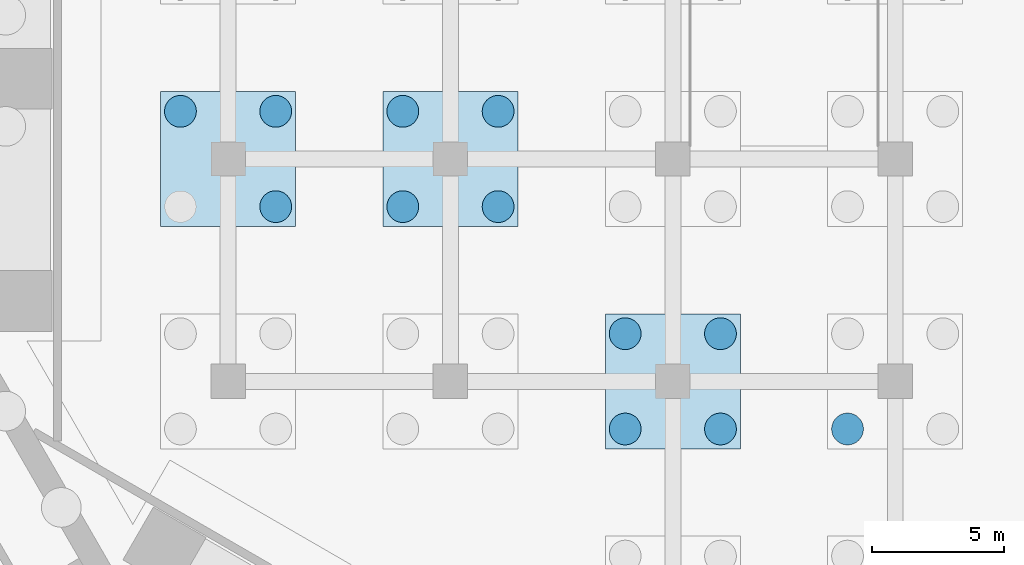
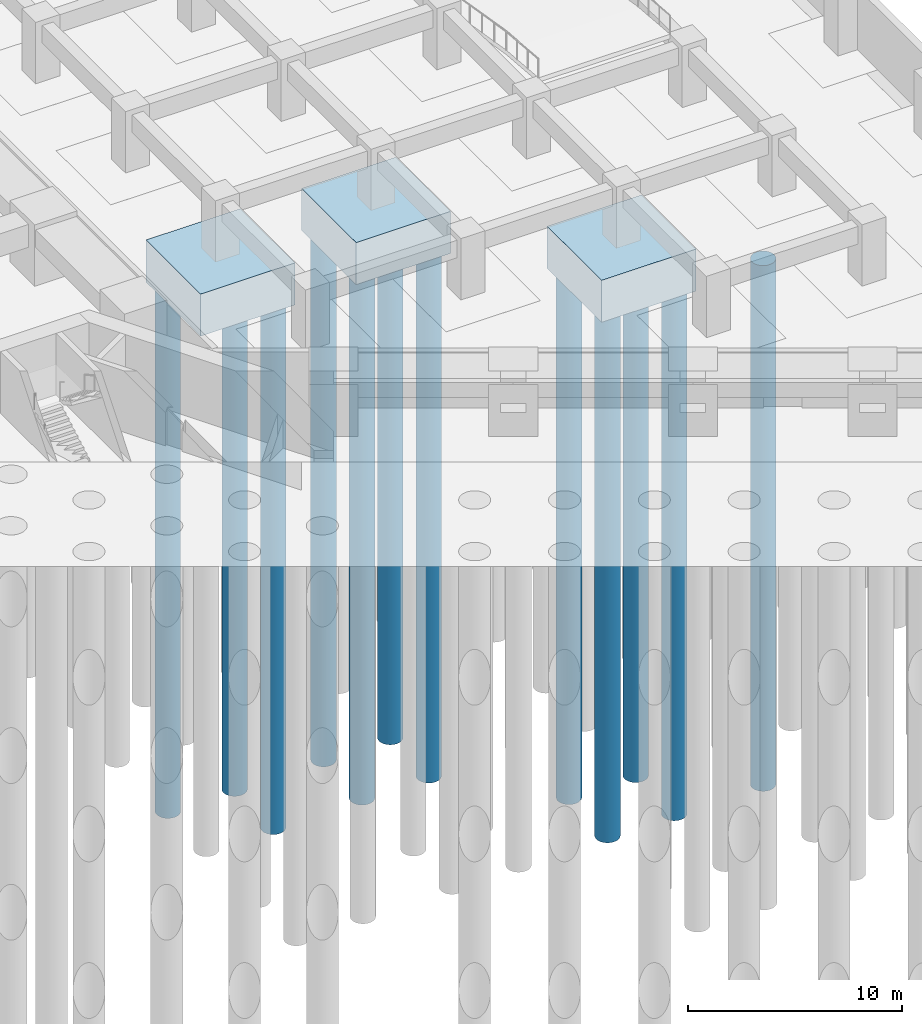
# One storey, part 28 of 73: 12 piles, 3 footings.
"""IFC4 building model written with IfcOpenShell, lengths in metres."""

from ifc_helpers import new_model, si_unit, direction, frame, origin, origin_2d, place, context, subcontext, project, spatial, polyline, circle, outline, extrude, material, material_profile, profile_set, type_object, element, save


model = new_model("IFC4")

# Units and contexts
model_context = context("Model", 3, precision=1e-05, world=origin(), true_north=direction((0.0, 1.0)))
body_context = subcontext(model_context, "Body", "Model", "MODEL_VIEW")
ifc_project = project(units=[si_unit("LENGTHUNIT", "METRE"), si_unit("AREAUNIT", "SQUARE_METRE"), si_unit("VOLUMEUNIT", "CUBIC_METRE"), si_unit("PLANEANGLEUNIT", "RADIAN"), si_unit("MASSUNIT", "GRAM", prefix="KILO")], contexts=[model_context])

# Site, building, storey
site_placement = place(None, origin())
site = spatial("IfcSite", under=ifc_project, at=site_placement, CompositionType="ELEMENT")
building_placement = place(site_placement, origin())
building = spatial("IfcBuilding", under=site, at=building_placement, Name="Impinga Residences", CompositionType="ELEMENT")
storey_placement = place(building_placement, frame((0.0, 0.0, -10.5)))
storey = spatial("IfcBuildingStorey", under=building, at=storey_placement, Name="B3", CompositionType="ELEMENT", Elevation=-10.5)

# Piles
ifc_material_1 = material(Name="Concrete C35/45", Category="concrete")
ifc_material_profile = material_profile(ifc_material_1, circle(Radius=0.60009765625, at=origin_2d()), Name="D1200")
ifc_profile_set = profile_set([ifc_material_profile], Name="Concrete C35/45")
pile_type = type_object("IfcPileType", Name="BP2 bored pile D1200", PredefinedType="BORED", material=ifc_profile_set)
pile_1_placement = place(storey_placement, frame((18.60009765625, 15.0, -2.39990234375), z_axis=(0.0, 0.0, -1.0), x_axis=(1.0, 0.0, 0.0)))
element("IfcPile", 1, at=pile_1_placement, inside=storey, type_object=pile_type, Name="Cap pile BP2 9/H-2", PredefinedType="BORED", context=body_context, shape_type="SweptSolid", body=[
    extrude(outline(polyline([(0.60009765625, 0.0), (0.59716796875, 0.058837890625), (0.58837890625, 0.116943359375), (0.57421875, 0.174072265625), (0.554443359375, 0.2294921875), (0.529052734375, 0.282958984375), (0.498779296875, 0.333251953125), (0.4638671875, 0.380615234375), (0.42431640625, 0.42431640625), (0.380615234375, 0.4638671875), (0.333251953125, 0.498779296875), (0.282958984375, 0.529052734375), (0.2294921875, 0.554443359375), (0.174072265625, 0.57421875), (0.116943359375, 0.58837890625), (0.058837890625, 0.59716796875), (0.0, 0.60009765625), (-0.058837890625, 0.59716796875), (-0.116943359375, 0.58837890625), (-0.174072265625, 0.57421875), (-0.2294921875, 0.554443359375), (-0.282958984375, 0.529052734375), (-0.333251953125, 0.498779296875), (-0.380615234375, 0.4638671875), (-0.42431640625, 0.42431640625), (-0.4638671875, 0.380615234375), (-0.498779296875, 0.333251953125), (-0.529052734375, 0.282958984375), (-0.554443359375, 0.2294921875), (-0.57421875, 0.174072265625), (-0.58837890625, 0.116943359375), (-0.59716796875, 0.058837890625), (-0.60009765625, 0.0), (-0.59716796875, -0.058837890625), (-0.58837890625, -0.116943359375), (-0.57421875, -0.174072265625), (-0.554443359375, -0.2294921875), (-0.529052734375, -0.282958984375), (-0.498779296875, -0.333251953125), (-0.4638671875, -0.380615234375), (-0.42431640625, -0.42431640625), (-0.380615234375, -0.4638671875), (-0.333251953125, -0.498779296875), (-0.282958984375, -0.529052734375), (-0.2294921875, -0.554443359375), (-0.174072265625, -0.57421875), (-0.116943359375, -0.58837890625), (-0.058837890625, -0.59716796875), (0.0, -0.60009765625), (0.058837890625, -0.59716796875), (0.116943359375, -0.58837890625), (0.174072265625, -0.57421875), (0.2294921875, -0.554443359375), (0.282958984375, -0.529052734375), (0.333251953125, -0.498779296875), (0.380615234375, -0.4638671875), (0.42431640625, -0.42431640625), (0.4638671875, -0.380615234375), (0.498779296875, -0.333251953125), (0.529052734375, -0.282958984375), (0.554443359375, -0.2294921875), (0.57421875, -0.174072265625), (0.58837890625, -0.116943359375), (0.59716796875, -0.058837890625), (0.60009765625, 0.0)])), origin(), (0.0, 0.0, 1.0), 30.0),
])
pile_2_placement = place(storey_placement, frame((18.60009765625, 18.60009765625, -2.39990234375), z_axis=(0.0, 0.0, -1.0), x_axis=(1.0, 0.0, 0.0)))
element("IfcPile", 2, at=pile_2_placement, inside=storey, type_object=pile_type, Name="Cap pile BP2 9/H-3", PredefinedType="BORED", context=body_context, shape_type="SweptSolid", body=[
    extrude(outline(polyline([(0.60009765625, 0.0), (0.59716796875, 0.058837890625), (0.58837890625, 0.116943359375), (0.57421875, 0.174072265625), (0.554443359375, 0.2294921875), (0.529052734375, 0.282958984375), (0.498779296875, 0.333251953125), (0.4638671875, 0.380615234375), (0.42431640625, 0.42431640625), (0.380615234375, 0.4638671875), (0.333251953125, 0.498779296875), (0.282958984375, 0.529052734375), (0.2294921875, 0.554443359375), (0.174072265625, 0.57421875), (0.116943359375, 0.58837890625), (0.058837890625, 0.59716796875), (0.0, 0.60009765625), (-0.058837890625, 0.59716796875), (-0.116943359375, 0.58837890625), (-0.174072265625, 0.57421875), (-0.2294921875, 0.554443359375), (-0.282958984375, 0.529052734375), (-0.333251953125, 0.498779296875), (-0.380615234375, 0.4638671875), (-0.42431640625, 0.42431640625), (-0.4638671875, 0.380615234375), (-0.498779296875, 0.333251953125), (-0.529052734375, 0.282958984375), (-0.554443359375, 0.2294921875), (-0.57421875, 0.174072265625), (-0.58837890625, 0.116943359375), (-0.59716796875, 0.058837890625), (-0.60009765625, 0.0), (-0.59716796875, -0.058837890625), (-0.58837890625, -0.116943359375), (-0.57421875, -0.174072265625), (-0.554443359375, -0.2294921875), (-0.529052734375, -0.282958984375), (-0.498779296875, -0.333251953125), (-0.4638671875, -0.380615234375), (-0.42431640625, -0.42431640625), (-0.380615234375, -0.4638671875), (-0.333251953125, -0.498779296875), (-0.282958984375, -0.529052734375), (-0.2294921875, -0.554443359375), (-0.174072265625, -0.57421875), (-0.116943359375, -0.58837890625), (-0.058837890625, -0.59716796875), (0.0, -0.60009765625), (0.058837890625, -0.59716796875), (0.116943359375, -0.58837890625), (0.174072265625, -0.57421875), (0.2294921875, -0.554443359375), (0.282958984375, -0.529052734375), (0.333251953125, -0.498779296875), (0.380615234375, -0.4638671875), (0.42431640625, -0.42431640625), (0.4638671875, -0.380615234375), (0.498779296875, -0.333251953125), (0.529052734375, -0.282958984375), (0.554443359375, -0.2294921875), (0.57421875, -0.174072265625), (0.58837890625, -0.116943359375), (0.59716796875, -0.058837890625), (0.60009765625, 0.0)])), origin(), (0.0, 0.0, 1.0), 30.0),
])
pile_3_placement = place(storey_placement, frame((15.0, 18.60009765625, -2.39990234375), z_axis=(0.0, 0.0, -1.0), x_axis=(1.0, 0.0, 0.0)))
element("IfcPile", 3, at=pile_3_placement, inside=storey, type_object=pile_type, Name="Cap pile BP2 9/H-4", PredefinedType="BORED", context=body_context, shape_type="SweptSolid", body=[
    extrude(outline(polyline([(0.60009765625, 0.0), (0.59716796875, 0.058837890625), (0.58837890625, 0.116943359375), (0.57421875, 0.174072265625), (0.554443359375, 0.2294921875), (0.529052734375, 0.282958984375), (0.498779296875, 0.333251953125), (0.4638671875, 0.380615234375), (0.42431640625, 0.42431640625), (0.380615234375, 0.4638671875), (0.333251953125, 0.498779296875), (0.282958984375, 0.529052734375), (0.2294921875, 0.554443359375), (0.174072265625, 0.57421875), (0.116943359375, 0.58837890625), (0.058837890625, 0.59716796875), (0.0, 0.60009765625), (-0.058837890625, 0.59716796875), (-0.116943359375, 0.58837890625), (-0.174072265625, 0.57421875), (-0.2294921875, 0.554443359375), (-0.282958984375, 0.529052734375), (-0.333251953125, 0.498779296875), (-0.380615234375, 0.4638671875), (-0.42431640625, 0.42431640625), (-0.4638671875, 0.380615234375), (-0.498779296875, 0.333251953125), (-0.529052734375, 0.282958984375), (-0.554443359375, 0.2294921875), (-0.57421875, 0.174072265625), (-0.58837890625, 0.116943359375), (-0.59716796875, 0.058837890625), (-0.60009765625, 0.0), (-0.59716796875, -0.058837890625), (-0.58837890625, -0.116943359375), (-0.57421875, -0.174072265625), (-0.554443359375, -0.2294921875), (-0.529052734375, -0.282958984375), (-0.498779296875, -0.333251953125), (-0.4638671875, -0.380615234375), (-0.42431640625, -0.42431640625), (-0.380615234375, -0.4638671875), (-0.333251953125, -0.498779296875), (-0.282958984375, -0.529052734375), (-0.2294921875, -0.554443359375), (-0.174072265625, -0.57421875), (-0.116943359375, -0.58837890625), (-0.058837890625, -0.59716796875), (0.0, -0.60009765625), (0.058837890625, -0.59716796875), (0.116943359375, -0.58837890625), (0.174072265625, -0.57421875), (0.2294921875, -0.554443359375), (0.282958984375, -0.529052734375), (0.333251953125, -0.498779296875), (0.380615234375, -0.4638671875), (0.42431640625, -0.42431640625), (0.4638671875, -0.380615234375), (0.498779296875, -0.333251953125), (0.529052734375, -0.282958984375), (0.554443359375, -0.2294921875), (0.57421875, -0.174072265625), (0.58837890625, -0.116943359375), (0.59716796875, -0.058837890625), (0.60009765625, 0.0)])), origin(), (0.0, 0.0, 1.0), 30.0),
])
pile_4_placement = place(storey_placement, frame((23.39990234375, 15.0, -2.39990234375), z_axis=(0.0, 0.0, -1.0), x_axis=(1.0, 0.0, 0.0)))
element("IfcPile", 4, at=pile_4_placement, inside=storey, type_object=pile_type, Name="Cap pile BP2 10/H-1", PredefinedType="BORED", context=body_context, shape_type="SweptSolid", body=[
    extrude(outline(polyline([(0.60009765625, 0.0), (0.59716796875, 0.058837890625), (0.58837890625, 0.116943359375), (0.57421875, 0.174072265625), (0.554443359375, 0.2294921875), (0.529052734375, 0.282958984375), (0.498779296875, 0.333251953125), (0.4638671875, 0.380615234375), (0.42431640625, 0.42431640625), (0.380615234375, 0.4638671875), (0.333251953125, 0.498779296875), (0.282958984375, 0.529052734375), (0.2294921875, 0.554443359375), (0.174072265625, 0.57421875), (0.116943359375, 0.58837890625), (0.058837890625, 0.59716796875), (0.0, 0.60009765625), (-0.058837890625, 0.59716796875), (-0.116943359375, 0.58837890625), (-0.174072265625, 0.57421875), (-0.2294921875, 0.554443359375), (-0.282958984375, 0.529052734375), (-0.333251953125, 0.498779296875), (-0.380615234375, 0.4638671875), (-0.42431640625, 0.42431640625), (-0.4638671875, 0.380615234375), (-0.498779296875, 0.333251953125), (-0.529052734375, 0.282958984375), (-0.554443359375, 0.2294921875), (-0.57421875, 0.174072265625), (-0.58837890625, 0.116943359375), (-0.59716796875, 0.058837890625), (-0.60009765625, 0.0), (-0.59716796875, -0.058837890625), (-0.58837890625, -0.116943359375), (-0.57421875, -0.174072265625), (-0.554443359375, -0.2294921875), (-0.529052734375, -0.282958984375), (-0.498779296875, -0.333251953125), (-0.4638671875, -0.380615234375), (-0.42431640625, -0.42431640625), (-0.380615234375, -0.4638671875), (-0.333251953125, -0.498779296875), (-0.282958984375, -0.529052734375), (-0.2294921875, -0.554443359375), (-0.174072265625, -0.57421875), (-0.116943359375, -0.58837890625), (-0.058837890625, -0.59716796875), (0.0, -0.60009765625), (0.058837890625, -0.59716796875), (0.116943359375, -0.58837890625), (0.174072265625, -0.57421875), (0.2294921875, -0.554443359375), (0.282958984375, -0.529052734375), (0.333251953125, -0.498779296875), (0.380615234375, -0.4638671875), (0.42431640625, -0.42431640625), (0.4638671875, -0.380615234375), (0.498779296875, -0.333251953125), (0.529052734375, -0.282958984375), (0.554443359375, -0.2294921875), (0.57421875, -0.174072265625), (0.58837890625, -0.116943359375), (0.59716796875, -0.058837890625), (0.60009765625, 0.0)])), origin(), (0.0, 0.0, 1.0), 30.0),
])
pile_5_placement = place(storey_placement, frame((27.0, 15.0, -2.39990234375), z_axis=(0.0, 0.0, -1.0), x_axis=(1.0, 0.0, 0.0)))
element("IfcPile", 5, at=pile_5_placement, inside=storey, type_object=pile_type, Name="Cap pile BP2 10/H-2", PredefinedType="BORED", context=body_context, shape_type="SweptSolid", body=[
    extrude(outline(polyline([(0.60009765625, 0.0), (0.59716796875, 0.058837890625), (0.58837890625, 0.116943359375), (0.57421875, 0.174072265625), (0.554443359375, 0.2294921875), (0.529052734375, 0.282958984375), (0.498779296875, 0.333251953125), (0.4638671875, 0.380615234375), (0.42431640625, 0.42431640625), (0.380615234375, 0.4638671875), (0.333251953125, 0.498779296875), (0.282958984375, 0.529052734375), (0.2294921875, 0.554443359375), (0.174072265625, 0.57421875), (0.116943359375, 0.58837890625), (0.058837890625, 0.59716796875), (0.0, 0.60009765625), (-0.058837890625, 0.59716796875), (-0.116943359375, 0.58837890625), (-0.174072265625, 0.57421875), (-0.2294921875, 0.554443359375), (-0.282958984375, 0.529052734375), (-0.333251953125, 0.498779296875), (-0.380615234375, 0.4638671875), (-0.42431640625, 0.42431640625), (-0.4638671875, 0.380615234375), (-0.498779296875, 0.333251953125), (-0.529052734375, 0.282958984375), (-0.554443359375, 0.2294921875), (-0.57421875, 0.174072265625), (-0.58837890625, 0.116943359375), (-0.59716796875, 0.058837890625), (-0.60009765625, 0.0), (-0.59716796875, -0.058837890625), (-0.58837890625, -0.116943359375), (-0.57421875, -0.174072265625), (-0.554443359375, -0.2294921875), (-0.529052734375, -0.282958984375), (-0.498779296875, -0.333251953125), (-0.4638671875, -0.380615234375), (-0.42431640625, -0.42431640625), (-0.380615234375, -0.4638671875), (-0.333251953125, -0.498779296875), (-0.282958984375, -0.529052734375), (-0.2294921875, -0.554443359375), (-0.174072265625, -0.57421875), (-0.116943359375, -0.58837890625), (-0.058837890625, -0.59716796875), (0.0, -0.60009765625), (0.058837890625, -0.59716796875), (0.116943359375, -0.58837890625), (0.174072265625, -0.57421875), (0.2294921875, -0.554443359375), (0.282958984375, -0.529052734375), (0.333251953125, -0.498779296875), (0.380615234375, -0.4638671875), (0.42431640625, -0.42431640625), (0.4638671875, -0.380615234375), (0.498779296875, -0.333251953125), (0.529052734375, -0.282958984375), (0.554443359375, -0.2294921875), (0.57421875, -0.174072265625), (0.58837890625, -0.116943359375), (0.59716796875, -0.058837890625), (0.60009765625, 0.0)])), origin(), (0.0, 0.0, 1.0), 30.0),
])
pile_6_placement = place(storey_placement, frame((27.0, 18.60009765625, -2.39990234375), z_axis=(0.0, 0.0, -1.0), x_axis=(1.0, 0.0, 0.0)))
element("IfcPile", 6, at=pile_6_placement, inside=storey, type_object=pile_type, Name="Cap pile BP2 10/H-3", PredefinedType="BORED", context=body_context, shape_type="SweptSolid", body=[
    extrude(outline(polyline([(0.60009765625, 0.0), (0.59716796875, 0.058837890625), (0.58837890625, 0.116943359375), (0.57421875, 0.174072265625), (0.554443359375, 0.2294921875), (0.529052734375, 0.282958984375), (0.498779296875, 0.333251953125), (0.4638671875, 0.380615234375), (0.42431640625, 0.42431640625), (0.380615234375, 0.4638671875), (0.333251953125, 0.498779296875), (0.282958984375, 0.529052734375), (0.2294921875, 0.554443359375), (0.174072265625, 0.57421875), (0.116943359375, 0.58837890625), (0.058837890625, 0.59716796875), (0.0, 0.60009765625), (-0.058837890625, 0.59716796875), (-0.116943359375, 0.58837890625), (-0.174072265625, 0.57421875), (-0.2294921875, 0.554443359375), (-0.282958984375, 0.529052734375), (-0.333251953125, 0.498779296875), (-0.380615234375, 0.4638671875), (-0.42431640625, 0.42431640625), (-0.4638671875, 0.380615234375), (-0.498779296875, 0.333251953125), (-0.529052734375, 0.282958984375), (-0.554443359375, 0.2294921875), (-0.57421875, 0.174072265625), (-0.58837890625, 0.116943359375), (-0.59716796875, 0.058837890625), (-0.60009765625, 0.0), (-0.59716796875, -0.058837890625), (-0.58837890625, -0.116943359375), (-0.57421875, -0.174072265625), (-0.554443359375, -0.2294921875), (-0.529052734375, -0.282958984375), (-0.498779296875, -0.333251953125), (-0.4638671875, -0.380615234375), (-0.42431640625, -0.42431640625), (-0.380615234375, -0.4638671875), (-0.333251953125, -0.498779296875), (-0.282958984375, -0.529052734375), (-0.2294921875, -0.554443359375), (-0.174072265625, -0.57421875), (-0.116943359375, -0.58837890625), (-0.058837890625, -0.59716796875), (0.0, -0.60009765625), (0.058837890625, -0.59716796875), (0.116943359375, -0.58837890625), (0.174072265625, -0.57421875), (0.2294921875, -0.554443359375), (0.282958984375, -0.529052734375), (0.333251953125, -0.498779296875), (0.380615234375, -0.4638671875), (0.42431640625, -0.42431640625), (0.4638671875, -0.380615234375), (0.498779296875, -0.333251953125), (0.529052734375, -0.282958984375), (0.554443359375, -0.2294921875), (0.57421875, -0.174072265625), (0.58837890625, -0.116943359375), (0.59716796875, -0.058837890625), (0.60009765625, 0.0)])), origin(), (0.0, 0.0, 1.0), 30.0),
])
pile_7_placement = place(storey_placement, frame((23.39990234375, 18.60009765625, -2.39990234375), z_axis=(0.0, 0.0, -1.0), x_axis=(1.0, 0.0, 0.0)))
element("IfcPile", 7, at=pile_7_placement, inside=storey, type_object=pile_type, Name="Cap pile BP2 10/H-4", PredefinedType="BORED", context=body_context, shape_type="SweptSolid", body=[
    extrude(outline(polyline([(0.60009765625, 0.0), (0.59716796875, 0.058837890625), (0.58837890625, 0.116943359375), (0.57421875, 0.174072265625), (0.554443359375, 0.2294921875), (0.529052734375, 0.282958984375), (0.498779296875, 0.333251953125), (0.4638671875, 0.380615234375), (0.42431640625, 0.42431640625), (0.380615234375, 0.4638671875), (0.333251953125, 0.498779296875), (0.282958984375, 0.529052734375), (0.2294921875, 0.554443359375), (0.174072265625, 0.57421875), (0.116943359375, 0.58837890625), (0.058837890625, 0.59716796875), (0.0, 0.60009765625), (-0.058837890625, 0.59716796875), (-0.116943359375, 0.58837890625), (-0.174072265625, 0.57421875), (-0.2294921875, 0.554443359375), (-0.282958984375, 0.529052734375), (-0.333251953125, 0.498779296875), (-0.380615234375, 0.4638671875), (-0.42431640625, 0.42431640625), (-0.4638671875, 0.380615234375), (-0.498779296875, 0.333251953125), (-0.529052734375, 0.282958984375), (-0.554443359375, 0.2294921875), (-0.57421875, 0.174072265625), (-0.58837890625, 0.116943359375), (-0.59716796875, 0.058837890625), (-0.60009765625, 0.0), (-0.59716796875, -0.058837890625), (-0.58837890625, -0.116943359375), (-0.57421875, -0.174072265625), (-0.554443359375, -0.2294921875), (-0.529052734375, -0.282958984375), (-0.498779296875, -0.333251953125), (-0.4638671875, -0.380615234375), (-0.42431640625, -0.42431640625), (-0.380615234375, -0.4638671875), (-0.333251953125, -0.498779296875), (-0.282958984375, -0.529052734375), (-0.2294921875, -0.554443359375), (-0.174072265625, -0.57421875), (-0.116943359375, -0.58837890625), (-0.058837890625, -0.59716796875), (0.0, -0.60009765625), (0.058837890625, -0.59716796875), (0.116943359375, -0.58837890625), (0.174072265625, -0.57421875), (0.2294921875, -0.554443359375), (0.282958984375, -0.529052734375), (0.333251953125, -0.498779296875), (0.380615234375, -0.4638671875), (0.42431640625, -0.42431640625), (0.4638671875, -0.380615234375), (0.498779296875, -0.333251953125), (0.529052734375, -0.282958984375), (0.554443359375, -0.2294921875), (0.57421875, -0.174072265625), (0.58837890625, -0.116943359375), (0.59716796875, -0.058837890625), (0.60009765625, 0.0)])), origin(), (0.0, 0.0, 1.0), 30.0),
])
pile_8_placement = place(storey_placement, frame((31.800048828125, 6.60009765625, -2.39990234375), z_axis=(0.0, 0.0, -1.0), x_axis=(1.0, 0.0, 0.0)))
element("IfcPile", 8, at=pile_8_placement, inside=storey, type_object=pile_type, Name="Cap pile BP2 11/G-1", PredefinedType="BORED", context=body_context, shape_type="SweptSolid", body=[
    extrude(outline(polyline([(0.60009765625, 0.0), (0.59716796875, 0.058837890625), (0.58837890625, 0.116943359375), (0.57421875, 0.174072265625), (0.554443359375, 0.2294921875), (0.529052734375, 0.282958984375), (0.498779296875, 0.333251953125), (0.4638671875, 0.380615234375), (0.42431640625, 0.42431640625), (0.380615234375, 0.4638671875), (0.333251953125, 0.498779296875), (0.282958984375, 0.529052734375), (0.2294921875, 0.554443359375), (0.174072265625, 0.57421875), (0.116943359375, 0.58837890625), (0.058837890625, 0.59716796875), (0.0, 0.60009765625), (-0.058837890625, 0.59716796875), (-0.116943359375, 0.58837890625), (-0.174072265625, 0.57421875), (-0.2294921875, 0.554443359375), (-0.282958984375, 0.529052734375), (-0.333251953125, 0.498779296875), (-0.380615234375, 0.4638671875), (-0.42431640625, 0.42431640625), (-0.4638671875, 0.380615234375), (-0.498779296875, 0.333251953125), (-0.529052734375, 0.282958984375), (-0.554443359375, 0.2294921875), (-0.57421875, 0.174072265625), (-0.58837890625, 0.116943359375), (-0.59716796875, 0.058837890625), (-0.60009765625, 0.0), (-0.59716796875, -0.058837890625), (-0.58837890625, -0.116943359375), (-0.57421875, -0.174072265625), (-0.554443359375, -0.2294921875), (-0.529052734375, -0.282958984375), (-0.498779296875, -0.333251953125), (-0.4638671875, -0.380615234375), (-0.42431640625, -0.42431640625), (-0.380615234375, -0.4638671875), (-0.333251953125, -0.498779296875), (-0.282958984375, -0.529052734375), (-0.2294921875, -0.554443359375), (-0.174072265625, -0.57421875), (-0.116943359375, -0.58837890625), (-0.058837890625, -0.59716796875), (0.0, -0.60009765625), (0.058837890625, -0.59716796875), (0.116943359375, -0.58837890625), (0.174072265625, -0.57421875), (0.2294921875, -0.554443359375), (0.282958984375, -0.529052734375), (0.333251953125, -0.498779296875), (0.380615234375, -0.4638671875), (0.42431640625, -0.42431640625), (0.4638671875, -0.380615234375), (0.498779296875, -0.333251953125), (0.529052734375, -0.282958984375), (0.554443359375, -0.2294921875), (0.57421875, -0.174072265625), (0.58837890625, -0.116943359375), (0.59716796875, -0.058837890625), (0.60009765625, 0.0)])), origin(), (0.0, 0.0, 1.0), 30.0),
])
pile_9_placement = place(storey_placement, frame((35.39990234375, 6.60009765625, -2.39990234375), z_axis=(0.0, 0.0, -1.0), x_axis=(1.0, 0.0, 0.0)))
element("IfcPile", 9, at=pile_9_placement, inside=storey, type_object=pile_type, Name="Cap pile BP2 11/G-2", PredefinedType="BORED", context=body_context, shape_type="SweptSolid", body=[
    extrude(outline(polyline([(0.60009765625, 0.0), (0.59716796875, 0.058837890625), (0.58837890625, 0.116943359375), (0.57421875, 0.174072265625), (0.554443359375, 0.2294921875), (0.529052734375, 0.282958984375), (0.498779296875, 0.333251953125), (0.4638671875, 0.380615234375), (0.42431640625, 0.42431640625), (0.380615234375, 0.4638671875), (0.333251953125, 0.498779296875), (0.282958984375, 0.529052734375), (0.2294921875, 0.554443359375), (0.174072265625, 0.57421875), (0.116943359375, 0.58837890625), (0.058837890625, 0.59716796875), (0.0, 0.60009765625), (-0.058837890625, 0.59716796875), (-0.116943359375, 0.58837890625), (-0.174072265625, 0.57421875), (-0.2294921875, 0.554443359375), (-0.282958984375, 0.529052734375), (-0.333251953125, 0.498779296875), (-0.380615234375, 0.4638671875), (-0.42431640625, 0.42431640625), (-0.4638671875, 0.380615234375), (-0.498779296875, 0.333251953125), (-0.529052734375, 0.282958984375), (-0.554443359375, 0.2294921875), (-0.57421875, 0.174072265625), (-0.58837890625, 0.116943359375), (-0.59716796875, 0.058837890625), (-0.60009765625, 0.0), (-0.59716796875, -0.058837890625), (-0.58837890625, -0.116943359375), (-0.57421875, -0.174072265625), (-0.554443359375, -0.2294921875), (-0.529052734375, -0.282958984375), (-0.498779296875, -0.333251953125), (-0.4638671875, -0.380615234375), (-0.42431640625, -0.42431640625), (-0.380615234375, -0.4638671875), (-0.333251953125, -0.498779296875), (-0.282958984375, -0.529052734375), (-0.2294921875, -0.554443359375), (-0.174072265625, -0.57421875), (-0.116943359375, -0.58837890625), (-0.058837890625, -0.59716796875), (0.0, -0.60009765625), (0.058837890625, -0.59716796875), (0.116943359375, -0.58837890625), (0.174072265625, -0.57421875), (0.2294921875, -0.554443359375), (0.282958984375, -0.529052734375), (0.333251953125, -0.498779296875), (0.380615234375, -0.4638671875), (0.42431640625, -0.42431640625), (0.4638671875, -0.380615234375), (0.498779296875, -0.333251953125), (0.529052734375, -0.282958984375), (0.554443359375, -0.2294921875), (0.57421875, -0.174072265625), (0.58837890625, -0.116943359375), (0.59716796875, -0.058837890625), (0.60009765625, 0.0)])), origin(), (0.0, 0.0, 1.0), 30.0),
])
pile_10_placement = place(storey_placement, frame((35.39990234375, 10.199951171875, -2.39990234375), z_axis=(0.0, 0.0, -1.0), x_axis=(1.0, 0.0, 0.0)))
element("IfcPile", 10, at=pile_10_placement, inside=storey, type_object=pile_type, Name="Cap pile BP2 11/G-3", PredefinedType="BORED", context=body_context, shape_type="SweptSolid", body=[
    extrude(outline(polyline([(0.60009765625, 0.0), (0.59716796875, 0.058837890625), (0.58837890625, 0.116943359375), (0.57421875, 0.174072265625), (0.554443359375, 0.2294921875), (0.529052734375, 0.282958984375), (0.498779296875, 0.333251953125), (0.4638671875, 0.380615234375), (0.42431640625, 0.42431640625), (0.380615234375, 0.4638671875), (0.333251953125, 0.498779296875), (0.282958984375, 0.529052734375), (0.2294921875, 0.554443359375), (0.174072265625, 0.57421875), (0.116943359375, 0.58837890625), (0.058837890625, 0.59716796875), (0.0, 0.60009765625), (-0.058837890625, 0.59716796875), (-0.116943359375, 0.58837890625), (-0.174072265625, 0.57421875), (-0.2294921875, 0.554443359375), (-0.282958984375, 0.529052734375), (-0.333251953125, 0.498779296875), (-0.380615234375, 0.4638671875), (-0.42431640625, 0.42431640625), (-0.4638671875, 0.380615234375), (-0.498779296875, 0.333251953125), (-0.529052734375, 0.282958984375), (-0.554443359375, 0.2294921875), (-0.57421875, 0.174072265625), (-0.58837890625, 0.116943359375), (-0.59716796875, 0.058837890625), (-0.60009765625, 0.0), (-0.59716796875, -0.058837890625), (-0.58837890625, -0.116943359375), (-0.57421875, -0.174072265625), (-0.554443359375, -0.2294921875), (-0.529052734375, -0.282958984375), (-0.498779296875, -0.333251953125), (-0.4638671875, -0.380615234375), (-0.42431640625, -0.42431640625), (-0.380615234375, -0.4638671875), (-0.333251953125, -0.498779296875), (-0.282958984375, -0.529052734375), (-0.2294921875, -0.554443359375), (-0.174072265625, -0.57421875), (-0.116943359375, -0.58837890625), (-0.058837890625, -0.59716796875), (0.0, -0.60009765625), (0.058837890625, -0.59716796875), (0.116943359375, -0.58837890625), (0.174072265625, -0.57421875), (0.2294921875, -0.554443359375), (0.282958984375, -0.529052734375), (0.333251953125, -0.498779296875), (0.380615234375, -0.4638671875), (0.42431640625, -0.42431640625), (0.4638671875, -0.380615234375), (0.498779296875, -0.333251953125), (0.529052734375, -0.282958984375), (0.554443359375, -0.2294921875), (0.57421875, -0.174072265625), (0.58837890625, -0.116943359375), (0.59716796875, -0.058837890625), (0.60009765625, 0.0)])), origin(), (0.0, 0.0, 1.0), 30.0),
])
pile_11_placement = place(storey_placement, frame((31.800048828125, 10.199951171875, -2.39990234375), z_axis=(0.0, 0.0, -1.0), x_axis=(1.0, 0.0, 0.0)))
element("IfcPile", 11, at=pile_11_placement, inside=storey, type_object=pile_type, Name="Cap pile BP2 11/G-4", PredefinedType="BORED", context=body_context, shape_type="SweptSolid", body=[
    extrude(outline(polyline([(0.60009765625, 0.0), (0.59716796875, 0.058837890625), (0.58837890625, 0.116943359375), (0.57421875, 0.174072265625), (0.554443359375, 0.2294921875), (0.529052734375, 0.282958984375), (0.498779296875, 0.333251953125), (0.4638671875, 0.380615234375), (0.42431640625, 0.42431640625), (0.380615234375, 0.4638671875), (0.333251953125, 0.498779296875), (0.282958984375, 0.529052734375), (0.2294921875, 0.554443359375), (0.174072265625, 0.57421875), (0.116943359375, 0.58837890625), (0.058837890625, 0.59716796875), (0.0, 0.60009765625), (-0.058837890625, 0.59716796875), (-0.116943359375, 0.58837890625), (-0.174072265625, 0.57421875), (-0.2294921875, 0.554443359375), (-0.282958984375, 0.529052734375), (-0.333251953125, 0.498779296875), (-0.380615234375, 0.4638671875), (-0.42431640625, 0.42431640625), (-0.4638671875, 0.380615234375), (-0.498779296875, 0.333251953125), (-0.529052734375, 0.282958984375), (-0.554443359375, 0.2294921875), (-0.57421875, 0.174072265625), (-0.58837890625, 0.116943359375), (-0.59716796875, 0.058837890625), (-0.60009765625, 0.0), (-0.59716796875, -0.058837890625), (-0.58837890625, -0.116943359375), (-0.57421875, -0.174072265625), (-0.554443359375, -0.2294921875), (-0.529052734375, -0.282958984375), (-0.498779296875, -0.333251953125), (-0.4638671875, -0.380615234375), (-0.42431640625, -0.42431640625), (-0.380615234375, -0.4638671875), (-0.333251953125, -0.498779296875), (-0.282958984375, -0.529052734375), (-0.2294921875, -0.554443359375), (-0.174072265625, -0.57421875), (-0.116943359375, -0.58837890625), (-0.058837890625, -0.59716796875), (0.0, -0.60009765625), (0.058837890625, -0.59716796875), (0.116943359375, -0.58837890625), (0.174072265625, -0.57421875), (0.2294921875, -0.554443359375), (0.282958984375, -0.529052734375), (0.333251953125, -0.498779296875), (0.380615234375, -0.4638671875), (0.42431640625, -0.42431640625), (0.4638671875, -0.380615234375), (0.498779296875, -0.333251953125), (0.529052734375, -0.282958984375), (0.554443359375, -0.2294921875), (0.57421875, -0.174072265625), (0.58837890625, -0.116943359375), (0.59716796875, -0.058837890625), (0.60009765625, 0.0)])), origin(), (0.0, 0.0, 1.0), 30.0),
])
pile_12_placement = place(storey_placement, frame((40.199951171875, 6.60009765625, -2.39990234375), z_axis=(0.0, 0.0, -1.0), x_axis=(1.0, 0.0, 0.0)))
element("IfcPile", 12, at=pile_12_placement, inside=storey, type_object=pile_type, Name="Cap pile BP2 12/G-1", PredefinedType="BORED", context=body_context, shape_type="SweptSolid", body=[
    extrude(outline(polyline([(0.60009765625, 0.0), (0.59716796875, 0.058837890625), (0.58837890625, 0.116943359375), (0.57421875, 0.174072265625), (0.554443359375, 0.2294921875), (0.529052734375, 0.282958984375), (0.498779296875, 0.333251953125), (0.4638671875, 0.380615234375), (0.42431640625, 0.42431640625), (0.380615234375, 0.4638671875), (0.333251953125, 0.498779296875), (0.282958984375, 0.529052734375), (0.2294921875, 0.554443359375), (0.174072265625, 0.57421875), (0.116943359375, 0.58837890625), (0.058837890625, 0.59716796875), (0.0, 0.60009765625), (-0.058837890625, 0.59716796875), (-0.116943359375, 0.58837890625), (-0.174072265625, 0.57421875), (-0.2294921875, 0.554443359375), (-0.282958984375, 0.529052734375), (-0.333251953125, 0.498779296875), (-0.380615234375, 0.4638671875), (-0.42431640625, 0.42431640625), (-0.4638671875, 0.380615234375), (-0.498779296875, 0.333251953125), (-0.529052734375, 0.282958984375), (-0.554443359375, 0.2294921875), (-0.57421875, 0.174072265625), (-0.58837890625, 0.116943359375), (-0.59716796875, 0.058837890625), (-0.60009765625, 0.0), (-0.59716796875, -0.058837890625), (-0.58837890625, -0.116943359375), (-0.57421875, -0.174072265625), (-0.554443359375, -0.2294921875), (-0.529052734375, -0.282958984375), (-0.498779296875, -0.333251953125), (-0.4638671875, -0.380615234375), (-0.42431640625, -0.42431640625), (-0.380615234375, -0.4638671875), (-0.333251953125, -0.498779296875), (-0.282958984375, -0.529052734375), (-0.2294921875, -0.554443359375), (-0.174072265625, -0.57421875), (-0.116943359375, -0.58837890625), (-0.058837890625, -0.59716796875), (0.0, -0.60009765625), (0.058837890625, -0.59716796875), (0.116943359375, -0.58837890625), (0.174072265625, -0.57421875), (0.2294921875, -0.554443359375), (0.282958984375, -0.529052734375), (0.333251953125, -0.498779296875), (0.380615234375, -0.4638671875), (0.42431640625, -0.42431640625), (0.4638671875, -0.380615234375), (0.498779296875, -0.333251953125), (0.529052734375, -0.282958984375), (0.554443359375, -0.2294921875), (0.57421875, -0.174072265625), (0.58837890625, -0.116943359375), (0.59716796875, -0.058837890625), (0.60009765625, 0.0)])), origin(), (0.0, 0.0, 1.0), 30.0),
])

# Footings
ifc_material_2 = material(Name="Concrete C45/55", Category="concrete")
footing_type = type_object("IfcFootingType", Name="PC4 four-pile cap 5100 square 2400 deep", PredefinedType="PILE_CAP", material=ifc_material_2)
footing_1_placement = place(storey_placement, frame((0.0, 0.0, -2.39990234375)))
element("IfcFooting", 13, at=footing_1_placement, inside=storey, type_object=footing_type, Name="Pile cap PC4 9/H", PredefinedType="PILE_CAP", context=body_context, shape_type="SweptSolid", body=[
    extrude(outline(polyline([(19.35009765625, 14.25), (19.35009765625, 19.35009765625), (14.25, 19.35009765625), (14.25, 14.25), (19.35009765625, 14.25)])), origin(), (0.0, 0.0, 1.0), 2.39990234375),
])
footing_2_placement = place(storey_placement, frame((0.0, 0.0, -2.39990234375)))
element("IfcFooting", 14, at=footing_2_placement, inside=storey, type_object=footing_type, Name="Pile cap PC4 10/H", PredefinedType="PILE_CAP", context=body_context, shape_type="SweptSolid", body=[
    extrude(outline(polyline([(27.75, 14.25), (27.75, 19.35009765625), (22.64990234375, 19.35009765625), (22.64990234375, 14.25), (27.75, 14.25)])), origin(), (0.0, 0.0, 1.0), 2.39990234375),
])
footing_3_placement = place(storey_placement, frame((0.0, 0.0, -2.39990234375)))
element("IfcFooting", 15, at=footing_3_placement, inside=storey, type_object=footing_type, Name="Pile cap PC4 11/G", PredefinedType="PILE_CAP", context=body_context, shape_type="SweptSolid", body=[
    extrude(outline(polyline([(36.14990234375, 5.85009765625), (36.14990234375, 10.949951171875), (31.050048828125, 10.949951171875), (31.050048828125, 5.85009765625), (36.14990234375, 5.85009765625)])), origin(), (0.0, 0.0, 1.0), 2.39990234375),
])

save(model, "model.ifc")
